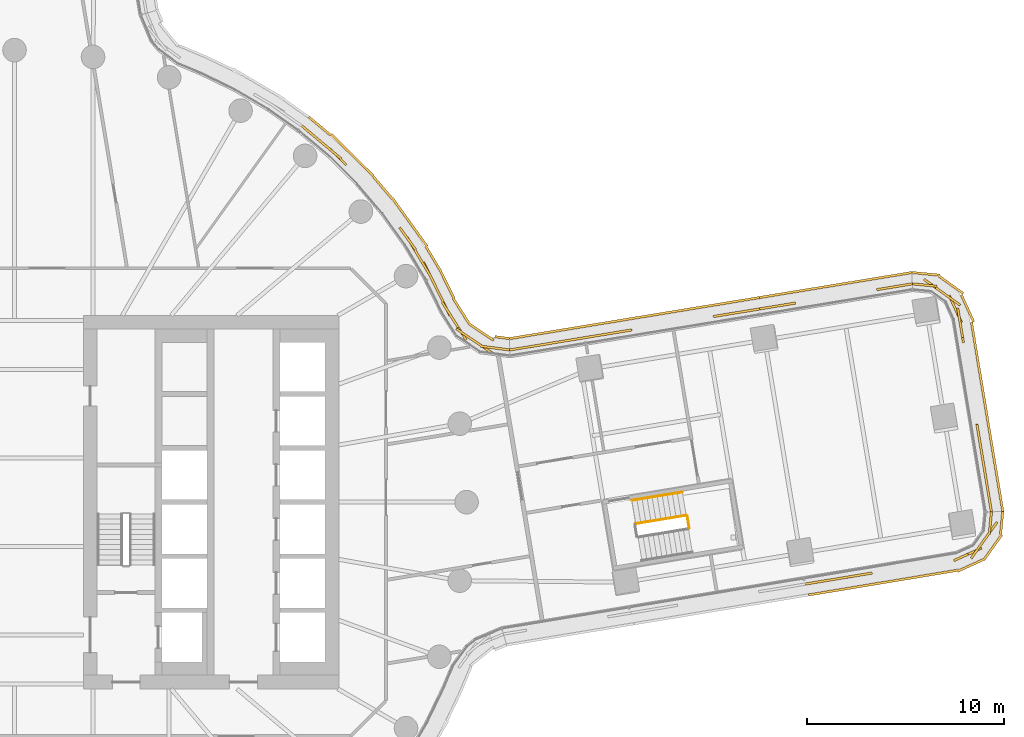
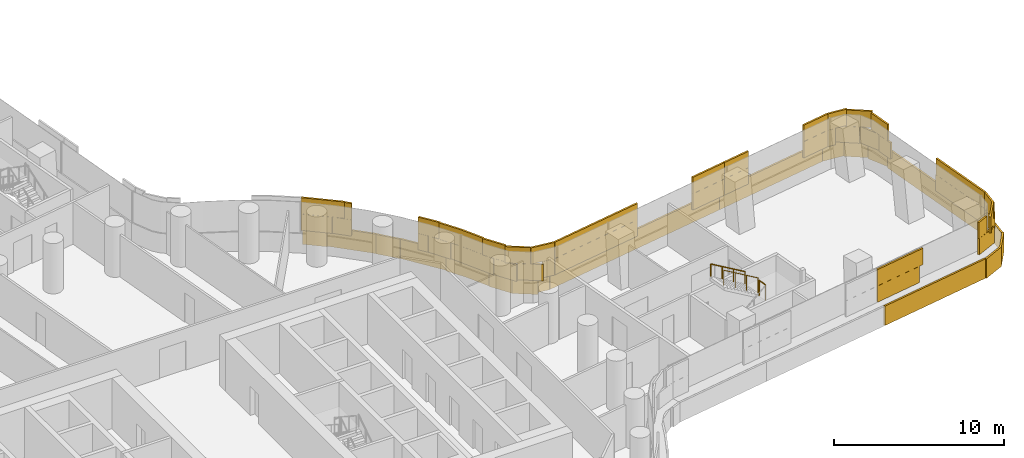
# One storey, part 30 of 32: 5 coverings, 3 railings.
"""IFC4 building model written with IfcOpenShell, lengths in metres."""

from ifc_helpers import new_model, si_unit, direction, frame, origin, origin_2d, place, context, subcontext, project, spatial, rectangle, circle, extrude, material, layer, layer_set, type_object, element, save


model = new_model("IFC4")

# Units and contexts
model_context = context("Model", 3, precision=1e-05, world=origin(), true_north=direction((0.0, 1.0)))
body_context = subcontext(model_context, "Body", "Model", "MODEL_VIEW")
ifc_project = project(units=[si_unit("LENGTHUNIT", "METRE"), si_unit("AREAUNIT", "SQUARE_METRE"), si_unit("VOLUMEUNIT", "CUBIC_METRE"), si_unit("PLANEANGLEUNIT", "RADIAN"), si_unit("MASSUNIT", "GRAM", prefix="KILO")], contexts=[model_context])

# Site, building, storey
site_placement = place(None, origin())
site = spatial("IfcSite", under=ifc_project, at=site_placement, CompositionType="ELEMENT")
building_placement = place(site_placement, origin())
building = spatial("IfcBuilding", under=site, at=building_placement, Name="Tamarind Cross Interchange Tower", CompositionType="ELEMENT")
storey_placement = place(building_placement, frame((0.0, 0.0, 67.75)))
storey = spatial("IfcBuildingStorey", under=building, at=storey_placement, Name="L15", CompositionType="ELEMENT", Elevation=67.75)

# Railings
ifc_material_1 = material(Name="Stair guard")
railing_type_1 = type_object("IfcRailingType", Name="Stair guard", PredefinedType="GUARDRAIL", material=ifc_material_1)
railing_1_placement = place(storey_placement, frame((34.32861328125, -1.30322265625, 1.875)))
element("IfcRailing", 1, at=railing_1_placement, inside=storey, type_object=railing_type_1, Name="L15 ST3 stair guard 2", PredefinedType="GUARDRAIL", context=body_context, shape_type="SweptSolid", body=[
    extrude(circle(Radius=0.02392578125, at=origin_2d()), frame((0.0, 0.0, 1.076171875), z_axis=(-0.163606968355, 0.986525600228, 0.0), x_axis=(-0.986525600228, -0.163606968355, 0.0)), (0.0, 0.0, 1.0), 0.599853515625),
    extrude(circle(Radius=0.02099609375, at=origin_2d()), origin(), (0.0, 0.0, 1.0), 1.052001953125),
    extrude(circle(Radius=0.02099609375, at=origin_2d()), frame((-0.09814453125, 0.591796875, 0.0)), (0.0, 0.0, 1.0), 1.052001953125),
])
railing_2_placement = place(storey_placement, frame((34.173095703125, -0.670166015625, 2.04541015625)))
element("IfcRailing", 2, at=railing_2_placement, inside=storey, type_object=railing_type_1, Name="L15 ST3 stair guard 3", PredefinedType="GUARDRAIL", context=body_context, shape_type="SweptSolid", body=[
    extrude(circle(Radius=0.02392578125, at=origin_2d()), frame((0.0, 0.0, 1.076171875), z_axis=(-0.825067524282, -0.136634385862, 0.548265104648), x_axis=(0.163378733941, -0.986563423859, 0.0)), (0.0, 0.0, 1.0), 3.109130859375),
    extrude(circle(Radius=0.02099609375, at=origin_2d()), origin(), (0.0, 0.0, 1.0), 1.052001953125),
    extrude(circle(Radius=0.02099609375, at=origin_2d()), frame((-0.85498046875, -0.1416015625, 0.568115234375)), (0.0, 0.0, 1.0), 1.052001953125),
    extrude(circle(Radius=0.02099609375, at=origin_2d()), frame((-1.710205078125, -0.283203125, 1.136474609375)), (0.0, 0.0, 1.0), 1.052001953125),
    extrude(circle(Radius=0.02099609375, at=origin_2d()), frame((-2.565185546875, -0.4248046875, 1.70458984375)), (0.0, 0.0, 1.0), 1.052001953125),
])
ifc_material_2 = material(Name="Stair handrail")
railing_type_2 = type_object("IfcRailingType", Name="Stair handrail", PredefinedType="HANDRAIL", material=ifc_material_2)
railing_3_placement = place(storey_placement, frame((33.97705078125, 0.513671875, 2.04541015625)))
element("IfcRailing", 3, at=railing_3_placement, inside=storey, type_object=railing_type_2, Name="L15 ST3 stair handrail 2", PredefinedType="HANDRAIL", context=body_context, shape_type="SweptSolid", body=[
    extrude(circle(Radius=0.02392578125, at=origin_2d()), frame((0.0, 0.0, 0.8759765625), z_axis=(-0.825067524282, -0.136634385862, 0.548265104648), x_axis=(0.163378733941, -0.986563423859, 0.0)), (0.0, 0.0, 1.0), 3.109130859375),
    extrude(circle(Radius=0.02099609375, at=origin_2d()), origin(), (0.0, 0.0, 1.0), 0.851806640625),
    extrude(circle(Radius=0.02099609375, at=origin_2d()), frame((-0.85498046875, -0.1416015625, 0.568115234375)), (0.0, 0.0, 1.0), 0.851806640625),
    extrude(circle(Radius=0.02099609375, at=origin_2d()), frame((-1.710205078125, -0.283203125, 1.136474609375)), (0.0, 0.0, 1.0), 0.851806640625),
    extrude(circle(Radius=0.02099609375, at=origin_2d()), frame((-2.565185546875, -0.4248046875, 1.70458984375)), (0.0, 0.0, 1.0), 0.851806640625),
])

# Coverings
ifc_material_3 = material(Name="Terracotta", Category="masonry")
ifc_layer = layer(ifc_material_3, 0.1201171875)
ifc_layer_set = layer_set([ifc_layer], Name="Terracotta")
covering_type = type_object("IfcCoveringType", Name="Terracotta baguette screen unit", PredefinedType="MOLDING", material=ifc_layer_set)
covering_1_placement = place(storey_placement, origin())
element("IfcCovering", 4, at=covering_1_placement, inside=storey, type_object=covering_type, Name="SCR-L15-11-02", PredefinedType="MOLDING", context=body_context, shape_type="SweptSolid", body=[
    extrude(rectangle(XDim=0.189697265625, YDim=0.1201171875, at=origin_2d()), frame((40.32568359375, -4.151611328125, 1.404052734375), z_axis=(0.0, 0.0, 1.0), x_axis=(0.986563038226, 0.163381062571, 0.0)), (0.0, 0.0, 1.0), 1.1669921875),
    extrude(rectangle(XDim=1.52001953125, YDim=0.1201171875, at=origin_2d()), frame((41.154296875, -4.014404296875, 1.404052734375), z_axis=(0.0, 0.0, 1.0), x_axis=(0.986563038226, 0.163381062571, 0.0)), (0.0, 0.0, 1.0), 1.1669921875),
    extrude(rectangle(XDim=1.52001953125, YDim=0.1201171875, at=origin_2d()), frame((42.634033203125, -3.76953125, 1.404052734375), z_axis=(0.0, 0.0, 1.0), x_axis=(0.986563038226, 0.163381062571, 0.0)), (0.0, 0.0, 1.0), 1.1669921875),
    extrude(rectangle(XDim=1.52001953125, YDim=0.1201171875, at=origin_2d()), frame((48.51025390625, -2.64697265625, 1.404052734375), z_axis=(0.0, 0.0, 1.0), x_axis=(0.910660587282, 0.413155291351, 0.0)), (0.0, 0.0, 1.0), 1.1669921875),
    extrude(rectangle(XDim=1.52001953125, YDim=0.1201171875, at=origin_2d()), frame((49.548583984375, -1.62841796875, 1.404052734375), z_axis=(0.0, 0.0, 1.0), x_axis=(0.582077557136, 0.813133271659, 0.0)), (0.0, 0.0, 1.0), 1.1669921875),
    extrude(rectangle(XDim=0.417236328125, YDim=0.1201171875, at=origin_2d()), frame((49.68310546875, -0.69482421875, 1.404052734375), z_axis=(0.0, 0.0, 1.0), x_axis=(0.097527315623, 0.995232848487, 0.0)), (0.0, 0.0, 1.0), 1.1669921875),
    extrude(rectangle(XDim=0.939697265625, YDim=0.1201171875, at=origin_2d()), frame((40.69580078125, -4.09033203125, 2.5791015625), z_axis=(0.0, 0.0, 1.0), x_axis=(0.986563038226, 0.163381062571, 0.0)), (0.0, 0.0, 1.0), 1.1669921875),
    extrude(rectangle(XDim=1.52001953125, YDim=0.1201171875, at=origin_2d()), frame((41.894287109375, -3.891845703125, 2.5791015625), z_axis=(0.0, 0.0, 1.0), x_axis=(0.986563038226, 0.163381062571, 0.0)), (0.0, 0.0, 1.0), 1.1669921875),
    extrude(rectangle(XDim=1.023681640625, YDim=0.1201171875, at=origin_2d()), frame((43.13427734375, -3.6865234375, 2.5791015625), z_axis=(0.0, 0.0, 1.0), x_axis=(0.986563038226, 0.163381062571, 0.0)), (0.0, 0.0, 1.0), 1.1669921875),
    extrude(rectangle(XDim=0.796142578125, YDim=0.1201171875, at=origin_2d()), frame((48.15234375, -2.8095703125, 2.5791015625), z_axis=(0.0, 0.0, 1.0), x_axis=(0.910660587282, 0.413155291351, 0.0)), (0.0, 0.0, 1.0), 1.1669921875),
    extrude(rectangle(XDim=1.52001953125, YDim=0.1201171875, at=origin_2d()), frame((49.112060546875, -2.23828125, 2.5791015625), z_axis=(0.0, 0.0, 1.0), x_axis=(0.582077557136, 0.813133271659, 0.0)), (0.0, 0.0, 1.0), 1.1669921875),
    extrude(rectangle(XDim=1.167236328125, YDim=0.1201171875, at=origin_2d()), frame((49.646484375, -1.068115234375, 2.5791015625), z_axis=(0.0, 0.0, 1.0), x_axis=(0.097527315623, 0.995232848487, 0.0)), (0.0, 0.0, 1.0), 1.1669921875),
    extrude(rectangle(XDim=0.184326171875, YDim=0.1201171875, at=origin_2d()), frame((40.493896484375, -4.70556640625, 0.00390625), z_axis=(0.0, 0.0, 1.0), x_axis=(0.986563038226, 0.163381062571, 0.0)), (0.0, 0.0, 1.0), 1.39208984375),
    extrude(rectangle(XDim=1.52001953125, YDim=0.1201171875, at=origin_2d()), frame((41.31494140625, -4.56982421875, 0.00390625), z_axis=(0.0, 0.0, 1.0), x_axis=(0.986563038226, 0.163381062571, 0.0)), (0.0, 0.0, 1.0), 1.39208984375),
    extrude(rectangle(XDim=1.52001953125, YDim=0.1201171875, at=origin_2d()), frame((42.794677734375, -4.32470703125, 0.00390625), z_axis=(0.0, 0.0, 1.0), x_axis=(0.986563038226, 0.163381062571, 0.0)), (0.0, 0.0, 1.0), 1.39208984375),
    extrude(rectangle(XDim=1.52001953125, YDim=0.1201171875, at=origin_2d()), frame((44.274658203125, -4.07958984375, 0.00390625), z_axis=(0.0, 0.0, 1.0), x_axis=(0.986563038226, 0.163381062571, 0.0)), (0.0, 0.0, 1.0), 1.39208984375),
    extrude(rectangle(XDim=1.52001953125, YDim=0.1201171875, at=origin_2d()), frame((45.75439453125, -3.83447265625, 0.00390625), z_axis=(0.0, 0.0, 1.0), x_axis=(0.986563038226, 0.163381062571, 0.0)), (0.0, 0.0, 1.0), 1.39208984375),
    extrude(rectangle(XDim=1.52001953125, YDim=0.1201171875, at=origin_2d()), frame((47.234130859375, -3.58935546875, 0.00390625), z_axis=(0.0, 0.0, 1.0), x_axis=(0.986563038226, 0.163381062571, 0.0)), (0.0, 0.0, 1.0), 1.39208984375),
    extrude(rectangle(XDim=1.52001953125, YDim=0.1201171875, at=origin_2d()), frame((48.671630859375, -3.204345703125, 0.00390625), z_axis=(0.0, 0.0, 1.0), x_axis=(0.910660587282, 0.413155291351, 0.0)), (0.0, 0.0, 1.0), 1.39208984375),
    extrude(rectangle(XDim=1.52001953125, YDim=0.1201171875, at=origin_2d()), frame((49.78759765625, -2.2802734375, 0.00390625), z_axis=(0.0, 0.0, 1.0), x_axis=(0.582077557136, 0.813133271659, 0.0)), (0.0, 0.0, 1.0), 1.39208984375),
    extrude(rectangle(XDim=1.19140625, YDim=0.1201171875, at=origin_2d()), frame((50.2236328125, -1.06591796875, 0.00390625), z_axis=(0.0, 0.0, 1.0), x_axis=(0.097527315623, 0.995232848487, 0.0)), (0.0, 0.0, 1.0), 1.39208984375),
])
covering_2_placement = place(storey_placement, origin())
element("IfcCovering", 5, at=covering_2_placement, inside=storey, type_object=covering_type, Name="SCR-L15-12-00", PredefinedType="MOLDING", context=body_context, shape_type="SweptSolid", body=[
    extrude(rectangle(XDim=0.760009765625, YDim=0.1201171875, at=origin_2d()), frame((49.641845703125, -0.122314453125, 1.404052734375), z_axis=(0.0, 0.0, 1.0), x_axis=(-0.163381062571, 0.986563038226, 0.0)), (0.0, 0.0, 1.0), 1.1669921875),
    extrude(rectangle(XDim=1.52001953125, YDim=0.1201171875, at=origin_2d()), frame((49.4580078125, 0.987548828125, 1.404052734375), z_axis=(0.0, 0.0, 1.0), x_axis=(-0.163381062571, 0.986563038226, 0.0)), (0.0, 0.0, 1.0), 1.1669921875),
    extrude(rectangle(XDim=1.52001953125, YDim=0.1201171875, at=origin_2d()), frame((49.212890625, 2.46728515625, 1.404052734375), z_axis=(0.0, 0.0, 1.0), x_axis=(-0.163381062571, 0.986563038226, 0.0)), (0.0, 0.0, 1.0), 1.1669921875),
    extrude(rectangle(XDim=0.784912109375, YDim=0.1201171875, at=origin_2d()), frame((49.027099609375, 3.589599609375, 1.404052734375), z_axis=(0.0, 0.0, 1.0), x_axis=(-0.163381062571, 0.986563038226, 0.0)), (0.0, 0.0, 1.0), 1.1669921875),
    extrude(rectangle(XDim=1.03515625, YDim=0.1201171875, at=origin_2d()), frame((48.19384765625, 8.620849609375, 1.404052734375), z_axis=(0.0, 0.0, 1.0), x_axis=(-0.163381062571, 0.986563038226, 0.0)), (0.0, 0.0, 1.0), 1.1669921875),
    extrude(rectangle(XDim=1.52001953125, YDim=0.1201171875, at=origin_2d()), frame((47.868408203125, 9.830322265625, 1.404052734375), z_axis=(0.0, 0.0, 1.0), x_axis=(-0.413155291351, 0.910660587282, 0.0)), (0.0, 0.0, 1.0), 1.1669921875),
    extrude(rectangle(XDim=1.52001953125, YDim=0.1201171875, at=origin_2d()), frame((46.88671875, 10.89892578125, 1.404052734375), z_axis=(0.0, 0.0, 1.0), x_axis=(-0.813133271659, 0.582077557136, 0.0)), (0.0, 0.0, 1.0), 1.1669921875),
    extrude(rectangle(XDim=0.509521484375, YDim=0.1201171875, at=origin_2d()), frame((45.92431640625, 11.0830078125, 1.404052734375), z_axis=(0.0, 0.0, 1.0), x_axis=(-0.995232848487, 0.097527315623, 0.0)), (0.0, 0.0, 1.0), 1.1669921875),
    extrude(rectangle(XDim=1.510009765625, YDim=0.1201171875, at=origin_2d()), frame((49.58056640625, 0.24755859375, 2.5791015625), z_axis=(0.0, 0.0, 1.0), x_axis=(-0.163381062571, 0.986563038226, 0.0)), (0.0, 0.0, 1.0), 1.1669921875),
    extrude(rectangle(XDim=1.52001953125, YDim=0.1201171875, at=origin_2d()), frame((49.33544921875, 1.7275390625, 2.5791015625), z_axis=(0.0, 0.0, 1.0), x_axis=(-0.163381062571, 0.986563038226, 0.0)), (0.0, 0.0, 1.0), 1.1669921875),
    extrude(rectangle(XDim=1.52001953125, YDim=0.1201171875, at=origin_2d()), frame((49.09033203125, 3.207275390625, 2.5791015625), z_axis=(0.0, 0.0, 1.0), x_axis=(-0.163381062571, 0.986563038226, 0.0)), (0.0, 0.0, 1.0), 1.1669921875),
    extrude(rectangle(XDim=1.52001953125, YDim=0.1201171875, at=origin_2d()), frame((48.110107421875, 9.126708984375, 2.5791015625), z_axis=(0.0, 0.0, 1.0), x_axis=(-0.163381062571, 0.986563038226, 0.0)), (0.0, 0.0, 1.0), 1.1669921875),
    extrude(rectangle(XDim=1.52001953125, YDim=0.1201171875, at=origin_2d()), frame((47.49658203125, 10.46240234375, 2.5791015625), z_axis=(0.0, 0.0, 1.0), x_axis=(-0.813133271659, 0.582077557136, 0.0)), (0.0, 0.0, 1.0), 1.1669921875),
    extrude(rectangle(XDim=1.259521484375, YDim=0.1201171875, at=origin_2d()), frame((46.29736328125, 11.04638671875, 2.5791015625), z_axis=(0.0, 0.0, 1.0), x_axis=(-0.995232848487, 0.097527315623, 0.0)), (0.0, 0.0, 1.0), 1.1669921875),
    extrude(rectangle(XDim=0.760009765625, YDim=0.1201171875, at=origin_2d()), frame((50.219482421875, -0.09814453125, 0.00390625), z_axis=(0.0, 0.0, 1.0), x_axis=(-0.163381062571, 0.986563038226, 0.0)), (0.0, 0.0, 1.0), 1.39208984375),
    extrude(rectangle(XDim=1.52001953125, YDim=0.1201171875, at=origin_2d()), frame((50.03662109375, 1.0068359375, 0.00390625), z_axis=(0.0, 0.0, 1.0), x_axis=(-0.163381062571, 0.986563038226, 0.0)), (0.0, 0.0, 1.0), 1.39208984375),
    extrude(rectangle(XDim=1.52001953125, YDim=0.1201171875, at=origin_2d()), frame((49.79150390625, 2.486572265625, 0.00390625), z_axis=(0.0, 0.0, 1.0), x_axis=(-0.163381062571, 0.986563038226, 0.0)), (0.0, 0.0, 1.0), 1.39208984375),
    extrude(rectangle(XDim=1.52001953125, YDim=0.1201171875, at=origin_2d()), frame((49.54638671875, 3.966552734375, 0.00390625), z_axis=(0.0, 0.0, 1.0), x_axis=(-0.163381062571, 0.986563038226, 0.0)), (0.0, 0.0, 1.0), 1.39208984375),
    extrude(rectangle(XDim=1.52001953125, YDim=0.1201171875, at=origin_2d()), frame((49.30126953125, 5.4462890625, 0.00390625), z_axis=(0.0, 0.0, 1.0), x_axis=(-0.163381062571, 0.986563038226, 0.0)), (0.0, 0.0, 1.0), 1.39208984375),
    extrude(rectangle(XDim=1.52001953125, YDim=0.1201171875, at=origin_2d()), frame((49.05615234375, 6.926025390625, 0.00390625), z_axis=(0.0, 0.0, 1.0), x_axis=(-0.163381062571, 0.986563038226, 0.0)), (0.0, 0.0, 1.0), 1.39208984375),
    extrude(rectangle(XDim=1.52001953125, YDim=0.1201171875, at=origin_2d()), frame((48.811279296875, 8.406005859375, 0.00390625), z_axis=(0.0, 0.0, 1.0), x_axis=(-0.163381062571, 0.986563038226, 0.0)), (0.0, 0.0, 1.0), 1.39208984375),
    extrude(rectangle(XDim=1.52001953125, YDim=0.1201171875, at=origin_2d()), frame((48.48486328125, 9.861083984375, 0.00390625), z_axis=(0.0, 0.0, 1.0), x_axis=(-0.413155291351, 0.910660587282, 0.0)), (0.0, 0.0, 1.0), 1.39208984375),
    extrude(rectangle(XDim=1.52001953125, YDim=0.1201171875, at=origin_2d()), frame((47.6552734375, 11.0546875, 0.00390625), z_axis=(0.0, 0.0, 1.0), x_axis=(-0.813133271659, 0.582077557136, 0.0)), (0.0, 0.0, 1.0), 1.39208984375),
    extrude(rectangle(XDim=1.4267578125, YDim=0.1201171875, at=origin_2d()), frame((46.36669921875, 11.616455078125, 0.00390625), z_axis=(0.0, 0.0, 1.0), x_axis=(-0.995232848487, 0.097527315623, 0.0)), (0.0, 0.0, 1.0), 1.39208984375),
])
covering_3_placement = place(storey_placement, origin())
element("IfcCovering", 6, at=covering_3_placement, inside=storey, type_object=covering_type, Name="SCR-L15-13-00", PredefinedType="MOLDING", context=body_context, shape_type="SweptSolid", body=[
    extrude(rectangle(XDim=0.760009765625, YDim=0.1201171875, at=origin_2d()), frame((45.3056640625, 11.046630859375, 1.404052734375), z_axis=(0.0, 0.0, 1.0), x_axis=(-0.986763854922, -0.162163789482, 0.0)), (0.0, 0.0, 1.0), 1.1669921875),
    extrude(rectangle(XDim=1.08984375, YDim=0.1201171875, at=origin_2d()), frame((44.40283203125, 10.898193359375, 1.404052734375), z_axis=(0.0, 0.0, 1.0), x_axis=(-0.986763854922, -0.162163789482, 0.0)), (0.0, 0.0, 1.0), 1.1669921875),
    extrude(rectangle(XDim=0.730224609375, YDim=0.1201171875, at=origin_2d()), frame((39.370361328125, 10.071044921875, 1.404052734375), z_axis=(0.0, 0.0, 1.0), x_axis=(-0.986763854922, -0.162163789482, 0.0)), (0.0, 0.0, 1.0), 1.1669921875),
    extrude(rectangle(XDim=1.11962890625, YDim=0.1201171875, at=origin_2d()), frame((38.467529296875, 9.9228515625, 1.404052734375), z_axis=(0.0, 0.0, 1.0), x_axis=(-0.986763854922, -0.162163789482, 0.0)), (0.0, 0.0, 1.0), 1.1669921875),
    extrude(rectangle(XDim=1.510009765625, YDim=0.1201171875, at=origin_2d()), frame((44.935546875, 10.98583984375, 2.5791015625), z_axis=(0.0, 0.0, 1.0), x_axis=(-0.986763854922, -0.162163789482, 0.0)), (0.0, 0.0, 1.0), 1.1669921875),
    extrude(rectangle(XDim=0.33984375, YDim=0.1201171875, at=origin_2d()), frame((44.03271484375, 10.83740234375, 2.5791015625), z_axis=(0.0, 0.0, 1.0), x_axis=(-0.986763854922, -0.162163789482, 0.0)), (0.0, 0.0, 1.0), 1.1669921875),
    extrude(rectangle(XDim=1.480224609375, YDim=0.1201171875, at=origin_2d()), frame((39.000244140625, 10.01025390625, 2.5791015625), z_axis=(0.0, 0.0, 1.0), x_axis=(-0.986763854922, -0.162163789482, 0.0)), (0.0, 0.0, 1.0), 1.1669921875),
    extrude(rectangle(XDim=0.36962890625, YDim=0.1201171875, at=origin_2d()), frame((38.097412109375, 9.862060546875, 2.5791015625), z_axis=(0.0, 0.0, 1.0), x_axis=(-0.986763854922, -0.162163789482, 0.0)), (0.0, 0.0, 1.0), 1.1669921875),
    extrude(rectangle(XDim=0.760009765625, YDim=0.1201171875, at=origin_2d()), frame((45.28173828125, 11.624267578125, 0.00390625), z_axis=(0.0, 0.0, 1.0), x_axis=(-0.986763854922, -0.162163789482, 0.0)), (0.0, 0.0, 1.0), 1.39208984375),
    extrude(rectangle(XDim=1.52001953125, YDim=0.1201171875, at=origin_2d()), frame((44.176513671875, 11.442626953125, 0.00390625), z_axis=(0.0, 0.0, 1.0), x_axis=(-0.986763854922, -0.162163789482, 0.0)), (0.0, 0.0, 1.0), 1.39208984375),
    extrude(rectangle(XDim=1.52001953125, YDim=0.1201171875, at=origin_2d()), frame((42.696533203125, 11.199462890625, 0.00390625), z_axis=(0.0, 0.0, 1.0), x_axis=(-0.986763854922, -0.162163789482, 0.0)), (0.0, 0.0, 1.0), 1.39208984375),
    extrude(rectangle(XDim=1.52001953125, YDim=0.1201171875, at=origin_2d()), frame((41.21630859375, 10.956298828125, 0.00390625), z_axis=(0.0, 0.0, 1.0), x_axis=(-0.986763854922, -0.162163789482, 0.0)), (0.0, 0.0, 1.0), 1.39208984375),
    extrude(rectangle(XDim=1.52001953125, YDim=0.1201171875, at=origin_2d()), frame((39.736083984375, 10.712890625, 0.00390625), z_axis=(0.0, 0.0, 1.0), x_axis=(-0.986763854922, -0.162163789482, 0.0)), (0.0, 0.0, 1.0), 1.39208984375),
    extrude(rectangle(XDim=1.115966796875, YDim=0.1201171875, at=origin_2d()), frame((38.455322265625, 10.50244140625, 0.00390625), z_axis=(0.0, 0.0, 1.0), x_axis=(-0.986763854922, -0.162163789482, 0.0)), (0.0, 0.0, 1.0), 1.39208984375),
])
covering_4_placement = place(storey_placement, origin())
element("IfcCovering", 7, at=covering_4_placement, inside=storey, type_object=covering_type, Name="SCR-L15-13-01", PredefinedType="MOLDING", context=body_context, shape_type="SweptSolid", body=[
    extrude(rectangle(XDim=0.400390625, YDim=0.1201171875, at=origin_2d()), frame((37.727294921875, 9.80126953125, 1.404052734375), z_axis=(0.0, 0.0, 1.0), x_axis=(-0.986763854922, -0.162163789482, 0.0)), (0.0, 0.0, 1.0), 1.1669921875),
    extrude(rectangle(XDim=1.52001953125, YDim=0.1201171875, at=origin_2d()), frame((36.794677734375, 9.64794921875, 1.404052734375), z_axis=(0.0, 0.0, 1.0), x_axis=(-0.986763854922, -0.162163789482, 0.0)), (0.0, 0.0, 1.0), 1.1669921875),
    extrude(rectangle(XDim=0.519287109375, YDim=0.1201171875, at=origin_2d()), frame((35.803466796875, 9.48486328125, 1.404052734375), z_axis=(0.0, 0.0, 1.0), x_axis=(-0.986763854922, -0.162163789482, 0.0)), (0.0, 0.0, 1.0), 1.1669921875),
    extrude(rectangle(XDim=1.300537109375, YDim=0.1201171875, at=origin_2d()), frame((30.770751953125, 8.657958984375, 1.404052734375), z_axis=(0.0, 0.0, 1.0), x_axis=(-0.986763854922, -0.162163789482, 0.0)), (0.0, 0.0, 1.0), 1.1669921875),
    extrude(rectangle(XDim=1.52001953125, YDim=0.1201171875, at=origin_2d()), frame((29.39404296875, 8.431640625, 1.404052734375), z_axis=(0.0, 0.0, 1.0), x_axis=(-0.986763854922, -0.162163789482, 0.0)), (0.0, 0.0, 1.0), 1.1669921875),
    extrude(rectangle(XDim=1.52001953125, YDim=0.1201171875, at=origin_2d()), frame((27.913818359375, 8.1884765625, 1.404052734375), z_axis=(0.0, 0.0, 1.0), x_axis=(-0.986763854922, -0.162163789482, 0.0)), (0.0, 0.0, 1.0), 1.1669921875),
    extrude(rectangle(XDim=1.52001953125, YDim=0.1201171875, at=origin_2d()), frame((26.43359375, 7.945068359375, 1.404052734375), z_axis=(0.0, 0.0, 1.0), x_axis=(-0.986763854922, -0.162163789482, 0.0)), (0.0, 0.0, 1.0), 1.1669921875),
    extrude(rectangle(XDim=0.511962890625, YDim=0.1201171875, at=origin_2d()), frame((25.446044921875, 7.782958984375, 1.404052734375), z_axis=(0.0, 0.0, 1.0), x_axis=(-0.986763854922, -0.162163789482, 0.0)), (0.0, 0.0, 1.0), 1.1669921875),
    extrude(rectangle(XDim=1.150390625, YDim=0.1201171875, at=origin_2d()), frame((37.357421875, 9.740478515625, 2.5791015625), z_axis=(0.0, 0.0, 1.0), x_axis=(-0.986763854922, -0.162163789482, 0.0)), (0.0, 0.0, 1.0), 1.1669921875),
    extrude(rectangle(XDim=1.269287109375, YDim=0.1201171875, at=origin_2d()), frame((36.17333984375, 9.5458984375, 2.5791015625), z_axis=(0.0, 0.0, 1.0), x_axis=(-0.986763854922, -0.162163789482, 0.0)), (0.0, 0.0, 1.0), 1.1669921875),
    extrude(rectangle(XDim=0.550537109375, YDim=0.1201171875, at=origin_2d()), frame((31.140869140625, 8.71875, 2.5791015625), z_axis=(0.0, 0.0, 1.0), x_axis=(-0.986763854922, -0.162163789482, 0.0)), (0.0, 0.0, 1.0), 1.1669921875),
    extrude(rectangle(XDim=1.52001953125, YDim=0.1201171875, at=origin_2d()), frame((30.134033203125, 8.55322265625, 2.5791015625), z_axis=(0.0, 0.0, 1.0), x_axis=(-0.986763854922, -0.162163789482, 0.0)), (0.0, 0.0, 1.0), 1.1669921875),
    extrude(rectangle(XDim=1.52001953125, YDim=0.1201171875, at=origin_2d()), frame((28.654052734375, 8.31005859375, 2.5791015625), z_axis=(0.0, 0.0, 1.0), x_axis=(-0.986763854922, -0.162163789482, 0.0)), (0.0, 0.0, 1.0), 1.1669921875),
    extrude(rectangle(XDim=1.52001953125, YDim=0.1201171875, at=origin_2d()), frame((27.173828125, 8.06689453125, 2.5791015625), z_axis=(0.0, 0.0, 1.0), x_axis=(-0.986763854922, -0.162163789482, 0.0)), (0.0, 0.0, 1.0), 1.1669921875),
    extrude(rectangle(XDim=1.261962890625, YDim=0.1201171875, at=origin_2d()), frame((25.81591796875, 7.84375, 2.5791015625), z_axis=(0.0, 0.0, 1.0), x_axis=(-0.986763854922, -0.162163789482, 0.0)), (0.0, 0.0, 1.0), 1.1669921875),
    extrude(rectangle(XDim=0.404052734375, YDim=0.1201171875, at=origin_2d()), frame((37.70556640625, 10.37939453125, 0.00390625), z_axis=(0.0, 0.0, 1.0), x_axis=(-0.986763854922, -0.162163789482, 0.0)), (0.0, 0.0, 1.0), 1.39208984375),
    extrude(rectangle(XDim=1.52001953125, YDim=0.1201171875, at=origin_2d()), frame((36.77587890625, 10.2265625, 0.00390625), z_axis=(0.0, 0.0, 1.0), x_axis=(-0.986763854922, -0.162163789482, 0.0)), (0.0, 0.0, 1.0), 1.39208984375),
    extrude(rectangle(XDim=1.52001953125, YDim=0.1201171875, at=origin_2d()), frame((35.295654296875, 9.983154296875, 0.00390625), z_axis=(0.0, 0.0, 1.0), x_axis=(-0.986763854922, -0.162163789482, 0.0)), (0.0, 0.0, 1.0), 1.39208984375),
    extrude(rectangle(XDim=1.52001953125, YDim=0.1201171875, at=origin_2d()), frame((33.815673828125, 9.739990234375, 0.00390625), z_axis=(0.0, 0.0, 1.0), x_axis=(-0.986763854922, -0.162163789482, 0.0)), (0.0, 0.0, 1.0), 1.39208984375),
    extrude(rectangle(XDim=1.52001953125, YDim=0.1201171875, at=origin_2d()), frame((32.33544921875, 9.496826171875, 0.00390625), z_axis=(0.0, 0.0, 1.0), x_axis=(-0.986763854922, -0.162163789482, 0.0)), (0.0, 0.0, 1.0), 1.39208984375),
    extrude(rectangle(XDim=1.52001953125, YDim=0.1201171875, at=origin_2d()), frame((30.855224609375, 9.25341796875, 0.00390625), z_axis=(0.0, 0.0, 1.0), x_axis=(-0.986763854922, -0.162163789482, 0.0)), (0.0, 0.0, 1.0), 1.39208984375),
    extrude(rectangle(XDim=1.52001953125, YDim=0.1201171875, at=origin_2d()), frame((29.375244140625, 9.01025390625, 0.00390625), z_axis=(0.0, 0.0, 1.0), x_axis=(-0.986763854922, -0.162163789482, 0.0)), (0.0, 0.0, 1.0), 1.39208984375),
    extrude(rectangle(XDim=1.52001953125, YDim=0.1201171875, at=origin_2d()), frame((27.89501953125, 8.76708984375, 0.00390625), z_axis=(0.0, 0.0, 1.0), x_axis=(-0.986763854922, -0.162163789482, 0.0)), (0.0, 0.0, 1.0), 1.39208984375),
    extrude(rectangle(XDim=1.52001953125, YDim=0.1201171875, at=origin_2d()), frame((26.414794921875, 8.523681640625, 0.00390625), z_axis=(0.0, 0.0, 1.0), x_axis=(-0.986763854922, -0.162163789482, 0.0)), (0.0, 0.0, 1.0), 1.39208984375),
    extrude(rectangle(XDim=0.501708984375, YDim=0.1201171875, at=origin_2d()), frame((25.43701171875, 8.363037109375, 0.00390625), z_axis=(0.0, 0.0, 1.0), x_axis=(-0.986763854922, -0.162163789482, 0.0)), (0.0, 0.0, 1.0), 1.39208984375),
])
covering_5_placement = place(storey_placement, origin())
element("IfcCovering", 8, at=covering_5_placement, inside=storey, type_object=covering_type, Name="SCR-L15-14-00", PredefinedType="MOLDING", context=body_context, shape_type="SweptSolid", body=[
    extrude(rectangle(XDim=0.760009765625, YDim=0.1201171875, at=origin_2d()), frame((24.82666015625, 7.791748046875, 1.404052734375), z_axis=(0.0, 0.0, 1.0), x_axis=(-0.991258515893, 0.131933902651, 0.0)), (0.0, 0.0, 1.0), 1.1669921875),
    extrude(rectangle(XDim=1.52001953125, YDim=0.1201171875, at=origin_2d()), frame((23.725830078125, 7.977783203125, 1.404052734375), z_axis=(0.0, 0.0, 1.0), x_axis=(-0.829512225213, 0.558488556931, 0.0)), (0.0, 0.0, 1.0), 1.1669921875),
    extrude(rectangle(XDim=1.52001953125, YDim=0.1201171875, at=origin_2d()), frame((22.568603515625, 8.900390625, 1.404052734375), z_axis=(0.0, 0.0, 1.0), x_axis=(-0.535884272478, 0.844291446428, 0.0)), (0.0, 0.0, 1.0), 1.1669921875),
    extrude(rectangle(XDim=1.52001953125, YDim=0.1201171875, at=origin_2d()), frame((21.8076171875, 10.19091796875, 1.404052734375), z_axis=(0.0, 0.0, 1.0), x_axis=(-0.443058811505, 0.896492548518, 0.0)), (0.0, 0.0, 1.0), 1.1669921875),
    extrude(rectangle(XDim=1.52001953125, YDim=0.1201171875, at=origin_2d()), frame((21.14306640625, 11.53564453125, 1.404052734375), z_axis=(0.0, 0.0, 1.0), x_axis=(-0.443058811505, 0.896492548518, 0.0)), (0.0, 0.0, 1.0), 1.1669921875),
    extrude(rectangle(XDim=1.52001953125, YDim=0.1201171875, at=origin_2d()), frame((20.37109375, 12.82177734375, 1.404052734375), z_axis=(0.0, 0.0, 1.0), x_axis=(-0.515577308909, 0.856843065292, 0.0)), (0.0, 0.0, 1.0), 1.1669921875),
    extrude(rectangle(XDim=0.64208984375, YDim=0.1201171875, at=origin_2d()), frame((19.783203125, 13.7099609375, 1.404052734375), z_axis=(0.0, 0.0, 1.0), x_axis=(-0.584573890505, 0.811340475102, 0.0)), (0.0, 0.0, 1.0), 1.1669921875),
    extrude(rectangle(XDim=1.177978515625, YDim=0.1201171875, at=origin_2d()), frame((16.462646484375, 17.566650390625, 1.404052734375), z_axis=(0.0, 0.0, 1.0), x_axis=(-0.710143317658, 0.704057148523, 0.0)), (0.0, 0.0, 1.0), 1.1669921875),
    extrude(rectangle(XDim=1.52001953125, YDim=0.1201171875, at=origin_2d()), frame((15.458740234375, 18.44384765625, 1.404052734375), z_axis=(0.0, 0.0, 1.0), x_axis=(-0.765858396687, 0.643009266048, 0.0)), (0.0, 0.0, 1.0), 1.1669921875),
    extrude(rectangle(XDim=0.34814453125, YDim=0.1201171875, at=origin_2d()), frame((14.7548828125, 19.034912109375, 1.404052734375), z_axis=(0.0, 0.0, 1.0), x_axis=(-0.765858396687, 0.643009266048, 0.0)), (0.0, 0.0, 1.0), 1.1669921875),
    extrude(rectangle(XDim=1.510009765625, YDim=0.1201171875, at=origin_2d()), frame((24.454833984375, 7.841064453125, 2.5791015625), z_axis=(0.0, 0.0, 1.0), x_axis=(-0.991258515893, 0.131933902651, 0.0)), (0.0, 0.0, 1.0), 1.1669921875),
    extrude(rectangle(XDim=1.52001953125, YDim=0.1201171875, at=origin_2d()), frame((23.103759765625, 8.396728515625, 2.5791015625), z_axis=(0.0, 0.0, 1.0), x_axis=(-0.829512225213, 0.558488556931, 0.0)), (0.0, 0.0, 1.0), 1.1669921875),
    extrude(rectangle(XDim=1.52001953125, YDim=0.1201171875, at=origin_2d()), frame((22.166748046875, 9.533447265625, 2.5791015625), z_axis=(0.0, 0.0, 1.0), x_axis=(-0.535884272478, 0.844291446428, 0.0)), (0.0, 0.0, 1.0), 1.1669921875),
    extrude(rectangle(XDim=1.52001953125, YDim=0.1201171875, at=origin_2d()), frame((21.475341796875, 10.86328125, 2.5791015625), z_axis=(0.0, 0.0, 1.0), x_axis=(-0.443058811505, 0.896492548518, 0.0)), (0.0, 0.0, 1.0), 1.1669921875),
    extrude(rectangle(XDim=1.52001953125, YDim=0.1201171875, at=origin_2d()), frame((20.7578125, 12.178955078125, 2.5791015625), z_axis=(0.0, 0.0, 1.0), x_axis=(-0.515577308909, 0.856843065292, 0.0)), (0.0, 0.0, 1.0), 1.1669921875),
    extrude(rectangle(XDim=1.39208984375, YDim=0.1201171875, at=origin_2d()), frame((20.00244140625, 13.405517578125, 2.5791015625), z_axis=(0.0, 0.0, 1.0), x_axis=(-0.584573890505, 0.811340475102, 0.0)), (0.0, 0.0, 1.0), 1.1669921875),
    extrude(rectangle(XDim=0.427978515625, YDim=0.1201171875, at=origin_2d()), frame((16.728759765625, 17.302734375, 2.5791015625), z_axis=(0.0, 0.0, 1.0), x_axis=(-0.710143317658, 0.704057148523, 0.0)), (0.0, 0.0, 1.0), 1.1669921875),
    extrude(rectangle(XDim=1.52001953125, YDim=0.1201171875, at=origin_2d()), frame((16.032958984375, 17.961669921875, 2.5791015625), z_axis=(0.0, 0.0, 1.0), x_axis=(-0.765858396687, 0.643009266048, 0.0)), (0.0, 0.0, 1.0), 1.1669921875),
    extrude(rectangle(XDim=1.09814453125, YDim=0.1201171875, at=origin_2d()), frame((15.0419921875, 18.793701171875, 2.5791015625), z_axis=(0.0, 0.0, 1.0), x_axis=(-0.765858396687, 0.643009266048, 0.0)), (0.0, 0.0, 1.0), 1.1669921875),
    extrude(rectangle(XDim=0.760009765625, YDim=0.1201171875, at=origin_2d()), frame((24.812744140625, 8.37255859375, 0.00390625), z_axis=(0.0, 0.0, 1.0), x_axis=(-0.991258515893, 0.131933902651, 0.0)), (0.0, 0.0, 1.0), 1.39208984375),
    extrude(rectangle(XDim=1.52001953125, YDim=0.1201171875, at=origin_2d()), frame((23.75244140625, 8.65185546875, 0.00390625), z_axis=(0.0, 0.0, 1.0), x_axis=(-0.829512225213, 0.558488556931, 0.0)), (0.0, 0.0, 1.0), 1.39208984375),
    extrude(rectangle(XDim=1.52001953125, YDim=0.1201171875, at=origin_2d()), frame((22.734619140625, 9.7099609375, 0.00390625), z_axis=(0.0, 0.0, 1.0), x_axis=(-0.535884272478, 0.844291446428, 0.0)), (0.0, 0.0, 1.0), 1.39208984375),
    extrude(rectangle(XDim=1.52001953125, YDim=0.1201171875, at=origin_2d()), frame((22.031494140625, 11.032958984375, 0.00390625), z_axis=(0.0, 0.0, 1.0), x_axis=(-0.443058811505, 0.896492548518, 0.0)), (0.0, 0.0, 1.0), 1.39208984375),
    extrude(rectangle(XDim=1.52001953125, YDim=0.1201171875, at=origin_2d()), frame((21.32275390625, 12.353515625, 0.00390625), z_axis=(0.0, 0.0, 1.0), x_axis=(-0.515577308909, 0.856843065292, 0.0)), (0.0, 0.0, 1.0), 1.39208984375),
    extrude(rectangle(XDim=1.52001953125, YDim=0.1201171875, at=origin_2d()), frame((20.54443359375, 13.635498046875, 0.00390625), z_axis=(0.0, 0.0, 1.0), x_axis=(-0.584573890505, 0.811340475102, 0.0)), (0.0, 0.0, 1.0), 1.39208984375),
    extrude(rectangle(XDim=1.52001953125, YDim=0.1201171875, at=origin_2d()), frame((19.66748046875, 14.8525390625, 0.00390625), z_axis=(0.0, 0.0, 1.0), x_axis=(-0.584573890505, 0.811340475102, 0.0)), (0.0, 0.0, 1.0), 1.39208984375),
    extrude(rectangle(XDim=1.52001953125, YDim=0.1201171875, at=origin_2d()), frame((18.723388671875, 16.016845703125, 0.00390625), z_axis=(0.0, 0.0, 1.0), x_axis=(-0.64957723968, 0.760295606781, 0.0)), (0.0, 0.0, 1.0), 1.39208984375),
    extrude(rectangle(XDim=1.52001953125, YDim=0.1201171875, at=origin_2d()), frame((17.718994140625, 17.12939453125, 0.00390625), z_axis=(0.0, 0.0, 1.0), x_axis=(-0.710143317658, 0.704057148523, 0.0)), (0.0, 0.0, 1.0), 1.39208984375),
    extrude(rectangle(XDim=1.52001953125, YDim=0.1201171875, at=origin_2d()), frame((16.65380859375, 18.185302734375, 0.00390625), z_axis=(0.0, 0.0, 1.0), x_axis=(-0.710143317658, 0.704057148523, 0.0)), (0.0, 0.0, 1.0), 1.39208984375),
    extrude(rectangle(XDim=1.4560546875, YDim=0.1201171875, at=origin_2d()), frame((15.53173828125, 19.1318359375, 0.00390625), z_axis=(0.0, 0.0, 1.0), x_axis=(-0.765858396687, 0.643009266048, 0.0)), (0.0, 0.0, 1.0), 1.39208984375),
])

save(model, "model.ifc")
